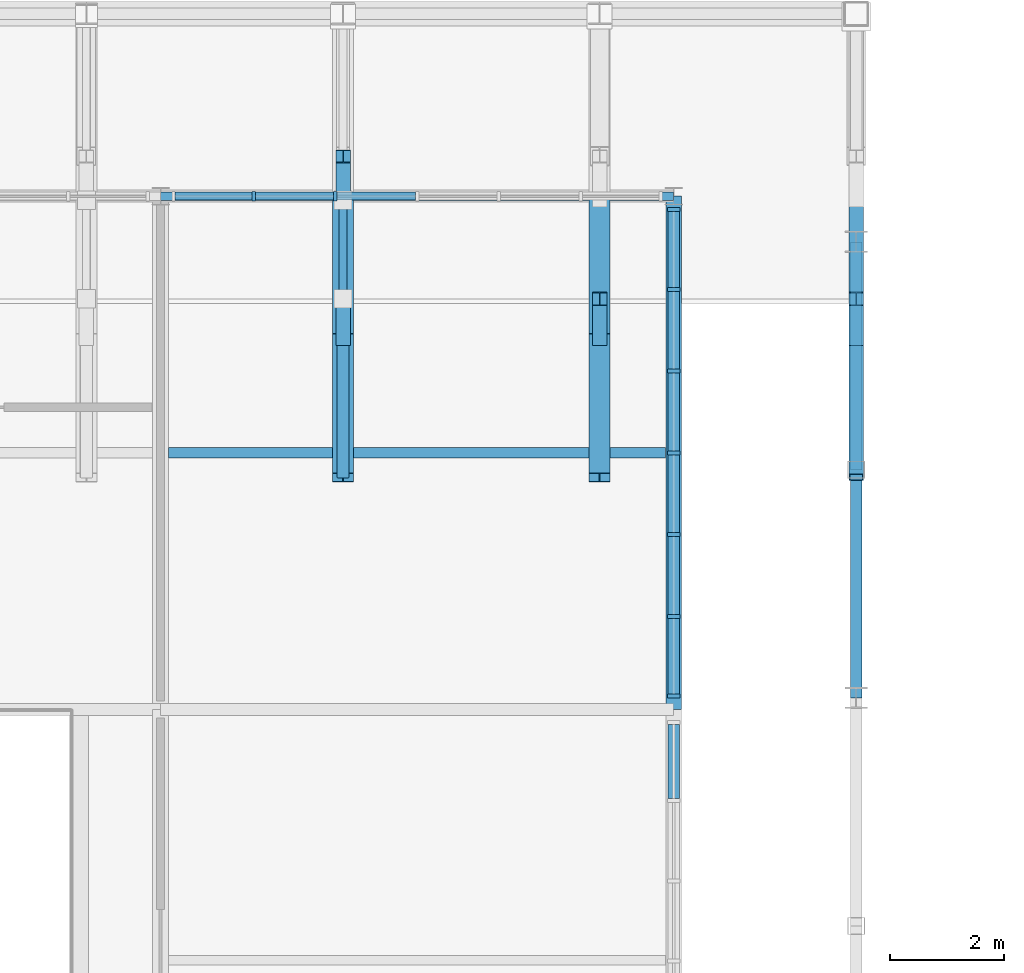
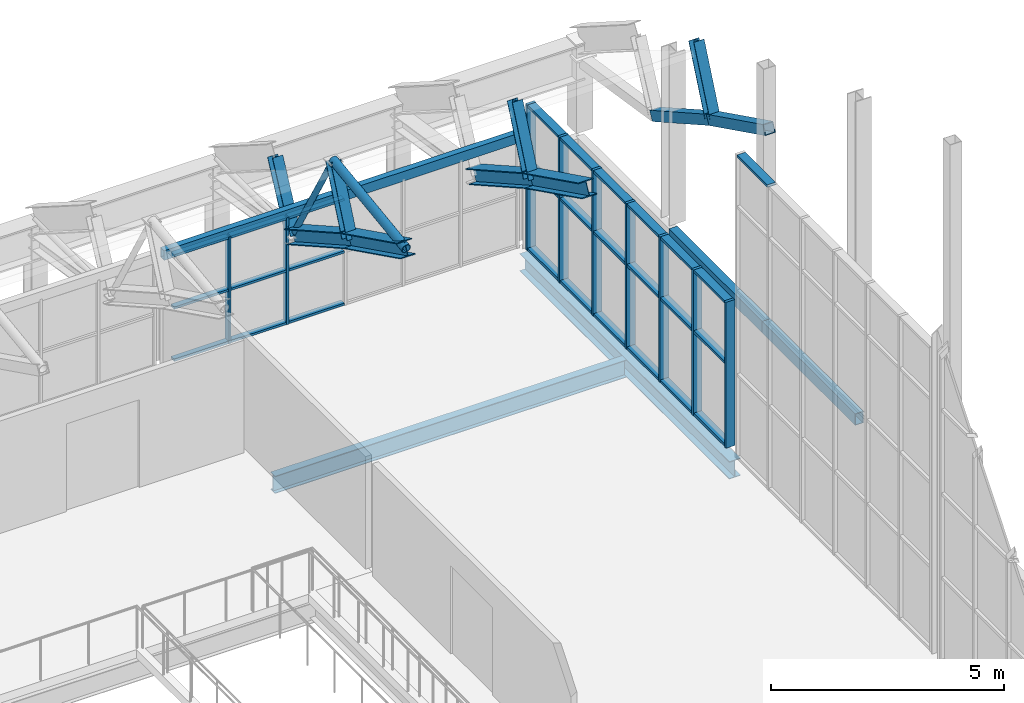
# One storey, part 88 of 134: 49 members, 5 beams, 3 elements without a shape of their own.
"""IFC4 building model written with IfcOpenShell, lengths in metres."""

from ifc_helpers import new_model, si_unit, direction, frame, origin, origin_2d, place, context, subcontext, project, spatial, rectangle, hollow_rectangle, hollow_circle, i_section, extrude, material, layer, layer_set, material_profile, profile_set, type_object, element, aggregate, save


model = new_model("IFC4")

# Units and contexts
model_context = context("Model", 3, precision=1e-05, world=origin(), true_north=direction((0.0, 1.0)))
body_context = subcontext(model_context, "Body", "Model", "MODEL_VIEW")
ifc_project = project(units=[si_unit("LENGTHUNIT", "METRE"), si_unit("AREAUNIT", "SQUARE_METRE"), si_unit("VOLUMEUNIT", "CUBIC_METRE"), si_unit("PLANEANGLEUNIT", "RADIAN"), si_unit("MASSUNIT", "GRAM", prefix="KILO")], contexts=[model_context])

# Site, building, storey
site_placement = place(None, origin())
site = spatial("IfcSite", under=ifc_project, at=site_placement, CompositionType="ELEMENT")
building_placement = place(site_placement, origin())
building = spatial("IfcBuilding", under=site, at=building_placement, Name="Cazmaro Siding Exhibition Halls", CompositionType="ELEMENT")
storey_placement = place(building_placement, frame((0.0, 0.0, 12.0)))
storey = spatial("IfcBuildingStorey", under=building, at=storey_placement, Name="L02", CompositionType="ELEMENT", Elevation=12.0)

# Beam
ifc_material_1 = material(Name="Steel ASTM A992 Grade 50", Category="steel")
ifc_material_profile_1 = material_profile(ifc_material_1, i_section(OverallWidth=0.279052734375, OverallDepth=0.4619140625, WebThickness=0.010986328125, FlangeThickness=0.01708984375, at=origin_2d()), Name="W18X76")
ifc_profile_set_1 = profile_set([ifc_material_profile_1], Name="Steel ASTM A992 Grade 50")
beam_type_1 = type_object("IfcBeamType", Name="B-03", PredefinedType="BEAM", material=ifc_profile_set_1)
beam_1_placement = place(storey_placement, frame((167.800048828125, 111.800048828125, -0.450927734375), z_axis=(0.0, 1.0, 0.0), x_axis=(-1.0, 0.0, 0.0)))
element("IfcBeam", 1, at=beam_1_placement, inside=storey, type_object=beam_type_1, Name="Beam B-03 BM-0450", PredefinedType="BEAM", context=body_context, shape_type="SweptSolid", body=[
    extrude(i_section(OverallWidth=0.279052734375, OverallDepth=0.4619140625, WebThickness=0.010986328125, FlangeThickness=0.01708984375, at=origin_2d()), origin(), (0.0, 0.0, 1.0), 9.0),
])

# Curtain wall, members
ifc_material_2 = material(Name="Anodized Bronze Aluminum and Solar-Control Low-E Glazing", Category="aluminium")
ifc_layer_1 = layer(ifc_material_2, 0.219970703125)
ifc_layer_set_1 = layer_set([ifc_layer_1], Name="Anodized Bronze Aluminum and Solar-Control Low-E Glazing")
curtain_wall_type_1 = type_object("IfcCurtainWallType", Name="CWS-03", PredefinedType="USERDEFINED", material=ifc_layer_set_1)
curtain_wall_1_placement = place(storey_placement, origin())
curtain_wall_1 = element("IfcCurtainWall", 2, at=curtain_wall_1_placement, inside=storey, type_object=curtain_wall_type_1, Name="Glazed Curtain Wall CWS-03 CW-079", ObjectType="GLAZED CURTAIN WALL", PredefinedType="USERDEFINED")
ifc_material_3 = material(Name="Anodized Bronze Extruded Aluminum", Category="aluminium")
ifc_material_profile_2 = material_profile(ifc_material_3, rectangle(XDim=0.219970703125, YDim=0.070068359375, at=origin_2d()), Name="CWM-03")
ifc_profile_set_2 = profile_set([ifc_material_profile_2], Name="Anodized Bronze Extruded Aluminum")
member_type_1 = type_object("IfcMemberType", Name="CWM-03", PredefinedType="MULLION", material=ifc_profile_set_2)
member_1_placement = place(storey_placement, frame((167.800048828125, 112.032958984375, 0.0), z_axis=(0.0, 0.0, 1.0), x_axis=(-1.0, 0.0, 0.0)))
member_1 = element("IfcMember", 3, at=member_1_placement, type_object=member_type_1, Name="CWS-03 mullion 1", PredefinedType="MULLION", context=body_context, shape_type="SweptSolid", body=[
    extrude(rectangle(XDim=0.219970703125, YDim=0.070068359375, at=origin_2d()), origin(), (0.0, 0.0, 1.0), 3.824951171875),
])
member_2_placement = place(storey_placement, frame((167.800048828125, 113.431884765625, 0.0), z_axis=(0.0, 0.0, 1.0), x_axis=(-1.0, 0.0, 0.0)))
member_2 = element("IfcMember", 4, at=member_2_placement, type_object=member_type_1, Name="CWS-03 mullion 2", PredefinedType="MULLION", context=body_context, shape_type="SweptSolid", body=[
    extrude(rectangle(XDim=0.219970703125, YDim=0.070068359375, at=origin_2d()), origin(), (0.0, 0.0, 1.0), 3.824951171875),
])
member_3_placement = place(storey_placement, frame((167.800048828125, 114.865966796875, 0.0), z_axis=(0.0, 0.0, 1.0), x_axis=(-1.0, 0.0, 0.0)))
member_3 = element("IfcMember", 5, at=member_3_placement, type_object=member_type_1, Name="CWS-03 mullion 3", PredefinedType="MULLION", context=body_context, shape_type="SweptSolid", body=[
    extrude(rectangle(XDim=0.219970703125, YDim=0.070068359375, at=origin_2d()), origin(), (0.0, 0.0, 1.0), 3.824951171875),
])
member_4_placement = place(storey_placement, frame((167.800048828125, 116.300048828125, 0.0), z_axis=(0.0, 0.0, 1.0), x_axis=(-1.0, 0.0, 0.0)))
member_4 = element("IfcMember", 6, at=member_4_placement, type_object=member_type_1, Name="CWS-03 mullion 4", PredefinedType="MULLION", context=body_context, shape_type="SweptSolid", body=[
    extrude(rectangle(XDim=0.219970703125, YDim=0.070068359375, at=origin_2d()), origin(), (0.0, 0.0, 1.0), 3.824951171875),
])
member_5_placement = place(storey_placement, frame((167.800048828125, 117.73388671875, 0.0), z_axis=(0.0, 0.0, 1.0), x_axis=(-1.0, 0.0, 0.0)))
member_5 = element("IfcMember", 7, at=member_5_placement, type_object=member_type_1, Name="CWS-03 mullion 5", PredefinedType="MULLION", context=body_context, shape_type="SweptSolid", body=[
    extrude(rectangle(XDim=0.219970703125, YDim=0.070068359375, at=origin_2d()), origin(), (0.0, 0.0, 1.0), 3.824951171875),
])
member_6_placement = place(storey_placement, frame((167.800048828125, 119.16796875, 0.0), z_axis=(0.0, 0.0, 1.0), x_axis=(-1.0, 0.0, 0.0)))
member_6 = element("IfcMember", 8, at=member_6_placement, type_object=member_type_1, Name="CWS-03 mullion 6", PredefinedType="MULLION", context=body_context, shape_type="SweptSolid", body=[
    extrude(rectangle(XDim=0.219970703125, YDim=0.070068359375, at=origin_2d()), origin(), (0.0, 0.0, 1.0), 3.824951171875),
])
member_7_placement = place(storey_placement, frame((167.800048828125, 120.56689453125, 0.0), z_axis=(0.0, 0.0, 1.0), x_axis=(-1.0, 0.0, 0.0)))
member_7 = element("IfcMember", 9, at=member_7_placement, type_object=member_type_1, Name="CWS-03 mullion 7", PredefinedType="MULLION", context=body_context, shape_type="SweptSolid", body=[
    extrude(rectangle(XDim=0.219970703125, YDim=0.070068359375, at=origin_2d()), origin(), (0.0, 0.0, 1.0), 3.824951171875),
])

ifc_material_4 = material(Name="Anodized Bronze Aluminum and Solar-Control Low-E Glazing", Category="aluminium")
ifc_layer_2 = layer(ifc_material_4, 0.159912109375)
ifc_layer_set_2 = layer_set([ifc_layer_2], Name="Anodized Bronze Aluminum and Solar-Control Low-E Glazing")
curtain_wall_type_2 = type_object("IfcCurtainWallType", Name="CWS-04", PredefinedType="USERDEFINED", material=ifc_layer_set_2)
curtain_wall_2_placement = place(storey_placement, origin())
curtain_wall_2 = element("IfcCurtainWall", 10, at=curtain_wall_2_placement, inside=storey, type_object=curtain_wall_type_2, Name="Clerestory Curtain Wall CWS-04 CW-049", ObjectType="CLERESTORY CURTAIN WALL", PredefinedType="USERDEFINED")
ifc_material_5 = material(Name="Anodized Bronze Extruded Aluminum", Category="aluminium")
ifc_material_profile_3 = material_profile(ifc_material_5, rectangle(XDim=0.159912109375, YDim=0.06005859375, at=origin_2d()), Name="CWM-04")
ifc_profile_set_3 = profile_set([ifc_material_profile_3], Name="Anodized Bronze Extruded Aluminum")
member_type_2 = type_object("IfcMemberType", Name="CWM-04", PredefinedType="MULLION", material=ifc_profile_set_3)
member_8_placement = place(storey_placement, frame((161.86572265625, 120.800048828125, 0.0), z_axis=(0.0, 0.0, 1.0), x_axis=(0.0, -1.0, 0.0)))
member_8 = element("IfcMember", 11, at=member_8_placement, type_object=member_type_2, Name="CWS-04 mullion 5", PredefinedType="MULLION", context=body_context, shape_type="SweptSolid", body=[
    extrude(rectangle(XDim=0.159912109375, YDim=0.06005859375, at=origin_2d()), origin(), (0.0, 0.0, 1.0), 2.800048828125),
])
member_9_placement = place(storey_placement, frame((160.431396484375, 120.800048828125, 0.0), z_axis=(0.0, 0.0, 1.0), x_axis=(0.0, -1.0, 0.0)))
member_9 = element("IfcMember", 12, at=member_9_placement, type_object=member_type_2, Name="CWS-04 mullion 6", PredefinedType="MULLION", context=body_context, shape_type="SweptSolid", body=[
    extrude(rectangle(XDim=0.159912109375, YDim=0.06005859375, at=origin_2d()), origin(), (0.0, 0.0, 1.0), 2.800048828125),
])

# Curtain wall, member
curtain_wall_3_placement = place(storey_placement, origin())
curtain_wall_3 = element("IfcCurtainWall", 13, at=curtain_wall_3_placement, inside=storey, type_object=curtain_wall_type_1, Name="Glazed Curtain Wall CWS-03 CW-076", ObjectType="GLAZED CURTAIN WALL", PredefinedType="USERDEFINED")
ifc_material_6 = material(Name="Anodized Bronze Extruded Aluminum", Category="aluminium")
ifc_material_profile_4 = material_profile(ifc_material_6, rectangle(XDim=0.199951171875, YDim=0.070068359375, at=origin_2d()), Name="CWT-03")
ifc_profile_set_4 = profile_set([ifc_material_profile_4], Name="Anodized Bronze Extruded Aluminum")
member_type_3 = type_object("IfcMemberType", Name="CWT-03", PredefinedType="MULLION", material=ifc_profile_set_4)
member_10_placement = place(storey_placement, frame((167.800048828125, 110.23291015625, 7.93798828125), z_axis=(0.0, 1.0, 0.0), x_axis=(-1.0, 0.0, 0.0)))
member_10 = element("IfcMember", 14, at=member_10_placement, type_object=member_type_3, Name="CWS-03 transom 6.5", ObjectType="TRANSOM", PredefinedType="USERDEFINED", context=body_context, shape_type="SweptSolid", body=[
    extrude(rectangle(XDim=0.199951171875, YDim=0.070068359375, at=origin_2d()), origin(), (0.0, 0.0, 1.0), 1.299072265625),
])
aggregate(curtain_wall_3, [member_10])

# Member
member_11_placement = place(storey_placement, frame((167.800048828125, 112.068115234375, 0.034912109375), z_axis=(0.0, 1.0, 0.0), x_axis=(-1.0, 0.0, 0.0)))
member_11 = element("IfcMember", 15, at=member_11_placement, type_object=member_type_3, Name="CWS-03 transom 1.1", ObjectType="TRANSOM", PredefinedType="USERDEFINED", context=body_context, shape_type="SweptSolid", body=[
    extrude(rectangle(XDim=0.199951171875, YDim=0.070068359375, at=origin_2d()), origin(), (0.0, 0.0, 1.0), 1.328857421875),
])

member_12_placement = place(storey_placement, frame((167.800048828125, 112.068115234375, 2.199951171875), z_axis=(0.0, 1.0, 0.0), x_axis=(-1.0, 0.0, 0.0)))
member_12 = element("IfcMember", 16, at=member_12_placement, type_object=member_type_3, Name="CWS-03 transom 1.2", ObjectType="TRANSOM", PredefinedType="USERDEFINED", context=body_context, shape_type="SweptSolid", body=[
    extrude(rectangle(XDim=0.199951171875, YDim=0.070068359375, at=origin_2d()), origin(), (0.0, 0.0, 1.0), 1.328857421875),
])

member_13_placement = place(storey_placement, frame((167.800048828125, 112.068115234375, 3.7900390625), z_axis=(0.0, 1.0, 0.0), x_axis=(-1.0, 0.0, 0.0)))
member_13 = element("IfcMember", 17, at=member_13_placement, type_object=member_type_3, Name="CWS-03 transom 1.3", ObjectType="TRANSOM", PredefinedType="USERDEFINED", context=body_context, shape_type="SweptSolid", body=[
    extrude(rectangle(XDim=0.199951171875, YDim=0.070068359375, at=origin_2d()), origin(), (0.0, 0.0, 1.0), 1.328857421875),
])

member_14_placement = place(storey_placement, frame((167.800048828125, 113.467041015625, 0.034912109375), z_axis=(0.0, 1.0, 0.0), x_axis=(-1.0, 0.0, 0.0)))
member_14 = element("IfcMember", 18, at=member_14_placement, type_object=member_type_3, Name="CWS-03 transom 2.1", ObjectType="TRANSOM", PredefinedType="USERDEFINED", context=body_context, shape_type="SweptSolid", body=[
    extrude(rectangle(XDim=0.199951171875, YDim=0.070068359375, at=origin_2d()), origin(), (0.0, 0.0, 1.0), 1.364013671875),
])

member_15_placement = place(storey_placement, frame((167.800048828125, 113.467041015625, 2.199951171875), z_axis=(0.0, 1.0, 0.0), x_axis=(-1.0, 0.0, 0.0)))
member_15 = element("IfcMember", 19, at=member_15_placement, type_object=member_type_3, Name="CWS-03 transom 2.2", ObjectType="TRANSOM", PredefinedType="USERDEFINED", context=body_context, shape_type="SweptSolid", body=[
    extrude(rectangle(XDim=0.199951171875, YDim=0.070068359375, at=origin_2d()), origin(), (0.0, 0.0, 1.0), 1.364013671875),
])

member_16_placement = place(storey_placement, frame((167.800048828125, 113.467041015625, 3.7900390625), z_axis=(0.0, 1.0, 0.0), x_axis=(-1.0, 0.0, 0.0)))
member_16 = element("IfcMember", 20, at=member_16_placement, type_object=member_type_3, Name="CWS-03 transom 2.3", ObjectType="TRANSOM", PredefinedType="USERDEFINED", context=body_context, shape_type="SweptSolid", body=[
    extrude(rectangle(XDim=0.199951171875, YDim=0.070068359375, at=origin_2d()), origin(), (0.0, 0.0, 1.0), 1.364013671875),
])

member_17_placement = place(storey_placement, frame((167.800048828125, 114.90087890625, 0.034912109375), z_axis=(0.0, 1.0, 0.0), x_axis=(-1.0, 0.0, 0.0)))
member_17 = element("IfcMember", 21, at=member_17_placement, type_object=member_type_3, Name="CWS-03 transom 3.1", ObjectType="TRANSOM", PredefinedType="USERDEFINED", context=body_context, shape_type="SweptSolid", body=[
    extrude(rectangle(XDim=0.199951171875, YDim=0.070068359375, at=origin_2d()), origin(), (0.0, 0.0, 1.0), 1.364013671875),
])

member_18_placement = place(storey_placement, frame((167.800048828125, 114.90087890625, 2.199951171875), z_axis=(0.0, 1.0, 0.0), x_axis=(-1.0, 0.0, 0.0)))
member_18 = element("IfcMember", 22, at=member_18_placement, type_object=member_type_3, Name="CWS-03 transom 3.2", ObjectType="TRANSOM", PredefinedType="USERDEFINED", context=body_context, shape_type="SweptSolid", body=[
    extrude(rectangle(XDim=0.199951171875, YDim=0.070068359375, at=origin_2d()), origin(), (0.0, 0.0, 1.0), 1.364013671875),
])

member_19_placement = place(storey_placement, frame((167.800048828125, 114.90087890625, 3.7900390625), z_axis=(0.0, 1.0, 0.0), x_axis=(-1.0, 0.0, 0.0)))
member_19 = element("IfcMember", 23, at=member_19_placement, type_object=member_type_3, Name="CWS-03 transom 3.3", ObjectType="TRANSOM", PredefinedType="USERDEFINED", context=body_context, shape_type="SweptSolid", body=[
    extrude(rectangle(XDim=0.199951171875, YDim=0.070068359375, at=origin_2d()), origin(), (0.0, 0.0, 1.0), 1.364013671875),
])

member_20_placement = place(storey_placement, frame((167.800048828125, 116.3349609375, 0.034912109375), z_axis=(0.0, 1.0, 0.0), x_axis=(-1.0, 0.0, 0.0)))
member_20 = element("IfcMember", 24, at=member_20_placement, type_object=member_type_3, Name="CWS-03 transom 4.1", ObjectType="TRANSOM", PredefinedType="USERDEFINED", context=body_context, shape_type="SweptSolid", body=[
    extrude(rectangle(XDim=0.199951171875, YDim=0.070068359375, at=origin_2d()), origin(), (0.0, 0.0, 1.0), 1.364013671875),
])

member_21_placement = place(storey_placement, frame((167.800048828125, 116.3349609375, 2.199951171875), z_axis=(0.0, 1.0, 0.0), x_axis=(-1.0, 0.0, 0.0)))
member_21 = element("IfcMember", 25, at=member_21_placement, type_object=member_type_3, Name="CWS-03 transom 4.2", ObjectType="TRANSOM", PredefinedType="USERDEFINED", context=body_context, shape_type="SweptSolid", body=[
    extrude(rectangle(XDim=0.199951171875, YDim=0.070068359375, at=origin_2d()), origin(), (0.0, 0.0, 1.0), 1.364013671875),
])

member_22_placement = place(storey_placement, frame((167.800048828125, 116.3349609375, 3.7900390625), z_axis=(0.0, 1.0, 0.0), x_axis=(-1.0, 0.0, 0.0)))
member_22 = element("IfcMember", 26, at=member_22_placement, type_object=member_type_3, Name="CWS-03 transom 4.3", ObjectType="TRANSOM", PredefinedType="USERDEFINED", context=body_context, shape_type="SweptSolid", body=[
    extrude(rectangle(XDim=0.199951171875, YDim=0.070068359375, at=origin_2d()), origin(), (0.0, 0.0, 1.0), 1.364013671875),
])

member_23_placement = place(storey_placement, frame((167.800048828125, 117.76904296875, 0.034912109375), z_axis=(0.0, 1.0, 0.0), x_axis=(-1.0, 0.0, 0.0)))
member_23 = element("IfcMember", 27, at=member_23_placement, type_object=member_type_3, Name="CWS-03 transom 5.1", ObjectType="TRANSOM", PredefinedType="USERDEFINED", context=body_context, shape_type="SweptSolid", body=[
    extrude(rectangle(XDim=0.199951171875, YDim=0.070068359375, at=origin_2d()), origin(), (0.0, 0.0, 1.0), 1.364013671875),
])

member_24_placement = place(storey_placement, frame((167.800048828125, 117.76904296875, 2.199951171875), z_axis=(0.0, 1.0, 0.0), x_axis=(-1.0, 0.0, 0.0)))
member_24 = element("IfcMember", 28, at=member_24_placement, type_object=member_type_3, Name="CWS-03 transom 5.2", ObjectType="TRANSOM", PredefinedType="USERDEFINED", context=body_context, shape_type="SweptSolid", body=[
    extrude(rectangle(XDim=0.199951171875, YDim=0.070068359375, at=origin_2d()), origin(), (0.0, 0.0, 1.0), 1.364013671875),
])

member_25_placement = place(storey_placement, frame((167.800048828125, 117.76904296875, 3.7900390625), z_axis=(0.0, 1.0, 0.0), x_axis=(-1.0, 0.0, 0.0)))
member_25 = element("IfcMember", 29, at=member_25_placement, type_object=member_type_3, Name="CWS-03 transom 5.3", ObjectType="TRANSOM", PredefinedType="USERDEFINED", context=body_context, shape_type="SweptSolid", body=[
    extrude(rectangle(XDim=0.199951171875, YDim=0.070068359375, at=origin_2d()), origin(), (0.0, 0.0, 1.0), 1.364013671875),
])

member_26_placement = place(storey_placement, frame((167.800048828125, 119.202880859375, 0.034912109375), z_axis=(0.0, 1.0, 0.0), x_axis=(-1.0, 0.0, 0.0)))
member_26 = element("IfcMember", 30, at=member_26_placement, type_object=member_type_3, Name="CWS-03 transom 6.1", ObjectType="TRANSOM", PredefinedType="USERDEFINED", context=body_context, shape_type="SweptSolid", body=[
    extrude(rectangle(XDim=0.199951171875, YDim=0.070068359375, at=origin_2d()), origin(), (0.0, 0.0, 1.0), 1.3291015625),
])

member_27_placement = place(storey_placement, frame((167.800048828125, 119.202880859375, 2.199951171875), z_axis=(0.0, 1.0, 0.0), x_axis=(-1.0, 0.0, 0.0)))
member_27 = element("IfcMember", 31, at=member_27_placement, type_object=member_type_3, Name="CWS-03 transom 6.2", ObjectType="TRANSOM", PredefinedType="USERDEFINED", context=body_context, shape_type="SweptSolid", body=[
    extrude(rectangle(XDim=0.199951171875, YDim=0.070068359375, at=origin_2d()), origin(), (0.0, 0.0, 1.0), 1.3291015625),
])

member_28_placement = place(storey_placement, frame((167.800048828125, 119.202880859375, 3.7900390625), z_axis=(0.0, 1.0, 0.0), x_axis=(-1.0, 0.0, 0.0)))
member_28 = element("IfcMember", 32, at=member_28_placement, type_object=member_type_3, Name="CWS-03 transom 6.3", ObjectType="TRANSOM", PredefinedType="USERDEFINED", context=body_context, shape_type="SweptSolid", body=[
    extrude(rectangle(XDim=0.199951171875, YDim=0.070068359375, at=origin_2d()), origin(), (0.0, 0.0, 1.0), 1.3291015625),
])

aggregate(curtain_wall_1, [member_1, member_2, member_3, member_4, member_5, member_6, member_7, member_11, member_12, member_13, member_14, member_15, member_16, member_17, member_18, member_19, member_20, member_21, member_22, member_23, member_24, member_25, member_26, member_27, member_28])

ifc_material_7 = material(Name="Anodized Bronze Extruded Aluminum", Category="aluminium")
ifc_material_profile_5 = material_profile(ifc_material_7, rectangle(XDim=0.139892578125, YDim=0.06005859375, at=origin_2d()), Name="CWT-04")
ifc_profile_set_5 = profile_set([ifc_material_profile_5], Name="Anodized Bronze Extruded Aluminum")
member_type_4 = type_object("IfcMemberType", Name="CWT-04", PredefinedType="MULLION", material=ifc_profile_set_5)
member_29_placement = place(storey_placement, frame((163.27001953125, 120.800048828125, 0.030029296875), z_axis=(-1.0, 0.0, 0.0), x_axis=(0.0, -1.0, 0.0)))
member_29 = element("IfcMember", 33, at=member_29_placement, type_object=member_type_4, Name="CWS-04 transom 4.1", ObjectType="TRANSOM", PredefinedType="USERDEFINED", context=body_context, shape_type="SweptSolid", body=[
    extrude(rectangle(XDim=0.139892578125, YDim=0.06005859375, at=origin_2d()), origin(), (0.0, 0.0, 1.0), 1.374267578125),
])

member_30_placement = place(storey_placement, frame((163.27001953125, 120.800048828125, 1.39990234375), z_axis=(-1.0, 0.0, 0.0), x_axis=(0.0, -1.0, 0.0)))
member_30 = element("IfcMember", 34, at=member_30_placement, type_object=member_type_4, Name="CWS-04 transom 4.2", ObjectType="TRANSOM", PredefinedType="USERDEFINED", context=body_context, shape_type="SweptSolid", body=[
    extrude(rectangle(XDim=0.139892578125, YDim=0.06005859375, at=origin_2d()), origin(), (0.0, 0.0, 1.0), 1.374267578125),
])

member_31_placement = place(storey_placement, frame((163.27001953125, 120.800048828125, 2.77001953125), z_axis=(-1.0, 0.0, 0.0), x_axis=(0.0, -1.0, 0.0)))
member_31 = element("IfcMember", 35, at=member_31_placement, type_object=member_type_4, Name="CWS-04 transom 4.3", ObjectType="TRANSOM", PredefinedType="USERDEFINED", context=body_context, shape_type="SweptSolid", body=[
    extrude(rectangle(XDim=0.139892578125, YDim=0.06005859375, at=origin_2d()), origin(), (0.0, 0.0, 1.0), 1.374267578125),
])

member_32_placement = place(storey_placement, frame((161.835693359375, 120.800048828125, 0.030029296875), z_axis=(-1.0, 0.0, 0.0), x_axis=(0.0, -1.0, 0.0)))
member_32 = element("IfcMember", 36, at=member_32_placement, type_object=member_type_4, Name="CWS-04 transom 5.1", ObjectType="TRANSOM", PredefinedType="USERDEFINED", context=body_context, shape_type="SweptSolid", body=[
    extrude(rectangle(XDim=0.139892578125, YDim=0.06005859375, at=origin_2d()), origin(), (0.0, 0.0, 1.0), 1.374267578125),
])

member_33_placement = place(storey_placement, frame((161.835693359375, 120.800048828125, 1.39990234375), z_axis=(-1.0, 0.0, 0.0), x_axis=(0.0, -1.0, 0.0)))
member_33 = element("IfcMember", 37, at=member_33_placement, type_object=member_type_4, Name="CWS-04 transom 5.2", ObjectType="TRANSOM", PredefinedType="USERDEFINED", context=body_context, shape_type="SweptSolid", body=[
    extrude(rectangle(XDim=0.139892578125, YDim=0.06005859375, at=origin_2d()), origin(), (0.0, 0.0, 1.0), 1.374267578125),
])

member_34_placement = place(storey_placement, frame((161.835693359375, 120.800048828125, 2.77001953125), z_axis=(-1.0, 0.0, 0.0), x_axis=(0.0, -1.0, 0.0)))
member_34 = element("IfcMember", 38, at=member_34_placement, type_object=member_type_4, Name="CWS-04 transom 5.3", ObjectType="TRANSOM", PredefinedType="USERDEFINED", context=body_context, shape_type="SweptSolid", body=[
    extrude(rectangle(XDim=0.139892578125, YDim=0.06005859375, at=origin_2d()), origin(), (0.0, 0.0, 1.0), 1.374267578125),
])

member_35_placement = place(storey_placement, frame((160.4013671875, 120.800048828125, 0.030029296875), z_axis=(-1.0, 0.0, 0.0), x_axis=(0.0, -1.0, 0.0)))
member_35 = element("IfcMember", 39, at=member_35_placement, type_object=member_type_4, Name="CWS-04 transom 6.1", ObjectType="TRANSOM", PredefinedType="USERDEFINED", context=body_context, shape_type="SweptSolid", body=[
    extrude(rectangle(XDim=0.139892578125, YDim=0.06005859375, at=origin_2d()), origin(), (0.0, 0.0, 1.0), 1.344482421875),
])

member_36_placement = place(storey_placement, frame((160.4013671875, 120.800048828125, 1.39990234375), z_axis=(-1.0, 0.0, 0.0), x_axis=(0.0, -1.0, 0.0)))
member_36 = element("IfcMember", 40, at=member_36_placement, type_object=member_type_4, Name="CWS-04 transom 6.2", ObjectType="TRANSOM", PredefinedType="USERDEFINED", context=body_context, shape_type="SweptSolid", body=[
    extrude(rectangle(XDim=0.139892578125, YDim=0.06005859375, at=origin_2d()), origin(), (0.0, 0.0, 1.0), 1.344482421875),
])

member_37_placement = place(storey_placement, frame((160.4013671875, 120.800048828125, 2.77001953125), z_axis=(-1.0, 0.0, 0.0), x_axis=(0.0, -1.0, 0.0)))
member_37 = element("IfcMember", 41, at=member_37_placement, type_object=member_type_4, Name="CWS-04 transom 6.3", ObjectType="TRANSOM", PredefinedType="USERDEFINED", context=body_context, shape_type="SweptSolid", body=[
    extrude(rectangle(XDim=0.139892578125, YDim=0.06005859375, at=origin_2d()), origin(), (0.0, 0.0, 1.0), 1.344482421875),
])

aggregate(curtain_wall_2, [member_8, member_9, member_29, member_30, member_31, member_32, member_33, member_34, member_35, member_36, member_37])

# Beams
ifc_material_8 = material(Name="Steel ASTM A992 Grade 50", Category="steel")
ifc_material_profile_6 = material_profile(ifc_material_8, i_section(OverallWidth=0.19091796875, OverallDepth=0.45703125, WebThickness=0.009033203125, FlangeThickness=0.013916015625, at=origin_2d()), Name="W18X50")
ifc_profile_set_6 = profile_set([ifc_material_profile_6], Name="Steel ASTM A992 Grade 50")
beam_type_2 = type_object("IfcBeamType", Name="J-01", PredefinedType="JOIST", material=ifc_profile_set_6)
beam_2_placement = place(storey_placement, frame((158.93994140625, 116.300048828125, -0.448974609375), z_axis=(1.0, 0.0, 0.0), x_axis=(0.0, 1.0, 0.0)))
element("IfcBeam", 42, at=beam_2_placement, inside=storey, type_object=beam_type_2, Name="Beam J-01 BM-0436", PredefinedType="JOIST", context=body_context, shape_type="SweptSolid", body=[
    extrude(i_section(OverallWidth=0.19091796875, OverallDepth=0.45703125, WebThickness=0.009033203125, FlangeThickness=0.013916015625, at=origin_2d()), origin(), (0.0, 0.0, 1.0), 8.719970703125),
])
ifc_material_9 = material(Name="Steel ASTM A500 Grade C", Category="steel")
ifc_material_profile_7 = material_profile(ifc_material_9, hollow_rectangle(XDim=0.202880859375, YDim=0.304931640625, WallThickness=0.011962890625, at=origin_2d()), Name="HSS12X8X1/2")
ifc_profile_set_7 = profile_set([ifc_material_profile_7], Name="Steel ASTM A500 Grade C")
beam_type_3 = type_object("IfcBeamType", Name="SP-01", PredefinedType="SPANDREL", material=ifc_profile_set_7)
for number, where, z_axis, x_axis, name in (
    (43, (171.0, 112.0, -0.373046875), (0.0, 1.0, 0.0), (-1.0, 0.0, 0.0), "Beam SP-01 BM-0056"),
    (44, (171.0, 116.0, -0.373046875), (0.0, 1.0, 0.0), (-1.0, 0.0, 0.0), "Beam SP-01 BM-0058"),
):
    element("IfcBeam", number, at=place(storey_placement, frame(where, z_axis=z_axis, x_axis=x_axis)), inside=storey, type_object=beam_type_3, Name=name, PredefinedType="SPANDREL", context=body_context, shape_type="SweptSolid", body=[
        extrude(hollow_rectangle(XDim=0.202880859375, YDim=0.304931640625, WallThickness=0.011962890625, at=origin_2d()), origin(), (0.0, 0.0, 1.0), 4.0),
    ])
ifc_material_10 = material(Name="Steel ASTM A500 Grade C", Category="steel")
ifc_material_profile_8 = material_profile(ifc_material_10, hollow_rectangle(XDim=0.152099609375, YDim=0.25390625, WallThickness=0.011962890625, at=origin_2d()), Name="HSS10X6X1/2")
ifc_profile_set_8 = profile_set([ifc_material_profile_8], Name="Steel ASTM A500 Grade C")
beam_type_4 = type_object("IfcBeamType", Name="SP-02", PredefinedType="SPANDREL", material=ifc_profile_set_8)
beam_3_placement = place(storey_placement, frame((158.800048828125, 120.800048828125, 2.873046875), z_axis=(1.0, 0.0, 0.0), x_axis=(0.0, 1.0, 0.0)))
element("IfcBeam", 45, at=beam_3_placement, inside=storey, type_object=beam_type_4, Name="Beam SP-02 BM-0252", PredefinedType="SPANDREL", context=body_context, shape_type="SweptSolid", body=[
    extrude(hollow_rectangle(XDim=0.152099609375, YDim=0.25390625, WallThickness=0.011962890625, at=origin_2d()), origin(), (0.0, 0.0, 1.0), 9.0),
])

# Members
ifc_material_11 = material(Name="Steel ASTM A500 Grade C", Category="steel")
ifc_material_profile_9 = material_profile(ifc_material_11, hollow_rectangle(XDim=0.25390625, YDim=0.25390625, WallThickness=0.014892578125, at=origin_2d()), Name="HSS10X10X5/8")
ifc_profile_set_9 = profile_set([ifc_material_profile_9], Name="Steel ASTM A500 Grade C")
member_type_5 = type_object("IfcMemberType", Name="TC-01", PredefinedType="CHORD", material=ifc_profile_set_9)
member_38_placement = place(storey_placement, frame((171.0, 115.868896484375, 4.87890625), z_axis=(0.0, 0.896077457924, -0.443897724033), x_axis=(-1.0, 0.0, 0.0)))
element("IfcMember", 46, at=member_38_placement, inside=storey, type_object=member_type_5, Name="Space frame barrel vault bottom chord TC-01 MEM-1938", PredefinedType="CHORD", context=body_context, shape_type="SweptSolid", body=[
    extrude(hollow_rectangle(XDim=0.25390625, YDim=0.25390625, WallThickness=0.014892578125, at=origin_2d()), origin(), (0.0, 0.0, 1.0), 2.7119140625),
])
member_39_placement = place(storey_placement, frame((171.0, 118.299072265625, 3.675048828125), z_axis=(0.0, 0.871222319466, -0.490888653428), x_axis=(-1.0, 0.0, 0.0)))
element("IfcMember", 47, at=member_39_placement, inside=storey, type_object=member_type_5, Name="Space frame barrel vault bottom chord TC-01 MEM-1939", PredefinedType="CHORD", context=body_context, shape_type="SweptSolid", body=[
    extrude(hollow_rectangle(XDim=0.25390625, YDim=0.25390625, WallThickness=0.014892578125, at=origin_2d()), origin(), (0.0, 0.0, 1.0), 2.7890625),
])
ifc_material_12 = material(Name="Steel ASTM A992 Grade 50", Category="steel")
ifc_material_profile_10 = material_profile(ifc_material_12, i_section(OverallWidth=0.37109375, OverallDepth=0.364013671875, WebThickness=0.012939453125, FlangeThickness=0.02197265625, at=origin_2d()), Name="W14X109")
ifc_profile_set_10 = profile_set([ifc_material_profile_10], Name="Steel ASTM A992 Grade 50")
member_type_6 = type_object("IfcMemberType", Name="TC-06", PredefinedType="CHORD", material=ifc_profile_set_10)
member_40_placement = place(storey_placement, frame((162.0, 115.868896484375, 4.87890625), z_axis=(0.0, 0.896077457924, -0.443897724033), x_axis=(-1.0, 0.0, 0.0)))
element("IfcMember", 48, at=member_40_placement, inside=storey, type_object=member_type_6, Name="Space frame barrel vault bottom chord TC-06 MEM-1841", PredefinedType="CHORD", context=body_context, shape_type="SweptSolid", body=[
    extrude(i_section(OverallWidth=0.37109375, OverallDepth=0.364013671875, WebThickness=0.012939453125, FlangeThickness=0.02197265625, at=origin_2d()), origin(), (0.0, 0.0, 1.0), 2.7119140625),
])
member_41_placement = place(storey_placement, frame((162.0, 118.299072265625, 3.675048828125), z_axis=(0.0, 0.871222319466, -0.490888653428), x_axis=(-1.0, 0.0, 0.0)))
element("IfcMember", 49, at=member_41_placement, inside=storey, type_object=member_type_6, Name="Space frame barrel vault bottom chord TC-06 MEM-1843", PredefinedType="CHORD", context=body_context, shape_type="SweptSolid", body=[
    extrude(i_section(OverallWidth=0.37109375, OverallDepth=0.364013671875, WebThickness=0.012939453125, FlangeThickness=0.02197265625, at=origin_2d()), origin(), (0.0, 0.0, 1.0), 2.7890625),
])
member_42_placement = place(storey_placement, frame((166.5, 115.868896484375, 4.87890625), z_axis=(0.0, 0.896077457924, -0.443897724033), x_axis=(-1.0, 0.0, 0.0)))
element("IfcMember", 50, at=member_42_placement, inside=storey, type_object=member_type_6, Name="Space frame barrel vault bottom chord TC-06 MEM-1891", PredefinedType="CHORD", context=body_context, shape_type="SweptSolid", body=[
    extrude(i_section(OverallWidth=0.37109375, OverallDepth=0.364013671875, WebThickness=0.012939453125, FlangeThickness=0.02197265625, at=origin_2d()), origin(), (0.0, 0.0, 1.0), 2.7119140625),
])
member_43_placement = place(storey_placement, frame((166.5, 118.299072265625, 3.675048828125), z_axis=(0.0, 0.871222319466, -0.490888653428), x_axis=(-1.0, 0.0, 0.0)))
element("IfcMember", 51, at=member_43_placement, inside=storey, type_object=member_type_6, Name="Space frame barrel vault bottom chord TC-06 MEM-1892", PredefinedType="CHORD", context=body_context, shape_type="SweptSolid", body=[
    extrude(i_section(OverallWidth=0.37109375, OverallDepth=0.364013671875, WebThickness=0.012939453125, FlangeThickness=0.02197265625, at=origin_2d()), origin(), (0.0, 0.0, 1.0), 2.7890625),
])
ifc_material_13 = material(Name="Steel ASTM A992 Grade 50", Category="steel")
ifc_material_profile_11 = material_profile(ifc_material_13, i_section(OverallWidth=0.25390625, OverallDepth=0.25390625, WebThickness=0.009033203125, FlangeThickness=0.013916015625, at=origin_2d()), Name="W10X49")
ifc_profile_set_11 = profile_set([ifc_material_profile_11], Name="Steel ASTM A992 Grade 50")
member_type_7 = type_object("IfcMemberType", Name="TP-04", PredefinedType="POST", material=ifc_profile_set_11)
member_44_placement = place(storey_placement, frame((162.0, 118.299072265625, 3.675048828125), z_axis=(0.0, 0.395865434272, 0.918308530913), x_axis=(-1.0, 0.0, 0.0)))
element("IfcMember", 52, at=member_44_placement, inside=storey, type_object=member_type_7, Name="Space frame barrel vault post TP-04 MEM-1868", PredefinedType="POST", context=body_context, shape_type="SweptSolid", body=[
    extrude(i_section(OverallWidth=0.25390625, OverallDepth=0.25390625, WebThickness=0.009033203125, FlangeThickness=0.013916015625, at=origin_2d()), origin(), (0.0, 0.0, 1.0), 1.7705078125),
])
member_45_placement = place(storey_placement, frame((162.0, 120.72900390625, 2.305908203125), z_axis=(0.0, 0.436945543824, 0.89948796086), x_axis=(-1.0, 0.0, 0.0)))
element("IfcMember", 53, at=member_45_placement, inside=storey, type_object=member_type_7, Name="Space frame barrel vault post TP-04 MEM-1869", PredefinedType="POST", context=body_context, shape_type="SweptSolid", body=[
    extrude(i_section(OverallWidth=0.25390625, OverallDepth=0.25390625, WebThickness=0.009033203125, FlangeThickness=0.013916015625, at=origin_2d()), origin(), (0.0, 0.0, 1.0), 1.764404296875),
])
for number, where, z_axis, x_axis, name in (
    (54, (166.5, 118.299072265625, 3.675048828125), (0.0, 0.395865434272, 0.918308530913), (-1.0, 0.0, 0.0), "Space frame barrel vault post TP-04 MEM-1915"),
    (55, (171.0, 118.299072265625, 3.675048828125), (0.0, 0.395865434272, 0.918308530913), (-1.0, 0.0, 0.0), "Space frame barrel vault post TP-04 MEM-1962"),
):
    element("IfcMember", number, at=place(storey_placement, frame(where, z_axis=z_axis, x_axis=x_axis)), inside=storey, type_object=member_type_7, Name=name, PredefinedType="POST", context=body_context, shape_type="SweptSolid", body=[
        extrude(i_section(OverallWidth=0.25390625, OverallDepth=0.25390625, WebThickness=0.009033203125, FlangeThickness=0.013916015625, at=origin_2d()), origin(), (0.0, 0.0, 1.0), 1.7705078125),
    ])
ifc_material_14 = material(Name="Steel ASTM A500 Grade C", Category="steel")
ifc_material_profile_12 = material_profile(ifc_material_14, hollow_circle(Radius=0.109619140625, WallThickness=0.012939453125, at=origin_2d()), Name="PIPE8XS")
ifc_profile_set_12 = profile_set([ifc_material_profile_12], Name="Steel ASTM A500 Grade C")
member_type_8 = type_object("IfcMemberType", Name="WB-01", PredefinedType="BRACE", material=ifc_profile_set_12)
member_46_placement = place(storey_placement, frame((162.0, 115.868896484375, 4.87890625), z_axis=(0.0, 0.991034510477, 0.133606134005), x_axis=(-1.0, 0.0, 0.0)))
element("IfcMember", 56, at=member_46_placement, inside=storey, type_object=member_type_8, Name="Space frame barrel vault diagonal WB-01 MEM-1842", PredefinedType="BRACE", context=body_context, shape_type="SweptSolid", body=[
    extrude(hollow_circle(Radius=0.109619140625, WallThickness=0.012939453125, at=origin_2d()), origin(), (0.0, 0.0, 1.0), 3.159423828125),
])
ifc_material_15 = material(Name="Steel ASTM A500 Grade C", Category="steel")
ifc_material_profile_13 = material_profile(ifc_material_15, hollow_circle(Radius=0.070556640625, WallThickness=0.01904296875, at=origin_2d()), Name="PIPE5XXS")
ifc_profile_set_13 = profile_set([ifc_material_profile_13], Name="Steel ASTM A500 Grade C")
member_type_9 = type_object("IfcMemberType", Name="WB-07", PredefinedType="BRACE", material=ifc_profile_set_13)
member_47_placement = place(storey_placement, frame((162.0, 119.0, 5.301025390625), z_axis=(0.0, 0.499950595228, -0.866053925764), x_axis=(-1.0, 0.0, 0.0)))
element("IfcMember", 57, at=member_47_placement, inside=storey, type_object=member_type_9, Name="Space frame barrel vault diagonal WB-07 MEM-1844", PredefinedType="BRACE", context=body_context, shape_type="SweptSolid", body=[
    extrude(hollow_circle(Radius=0.070556640625, WallThickness=0.01904296875, at=origin_2d()), origin(), (0.0, 0.0, 1.0), 3.458251953125),
])

save(model, "model.ifc")
